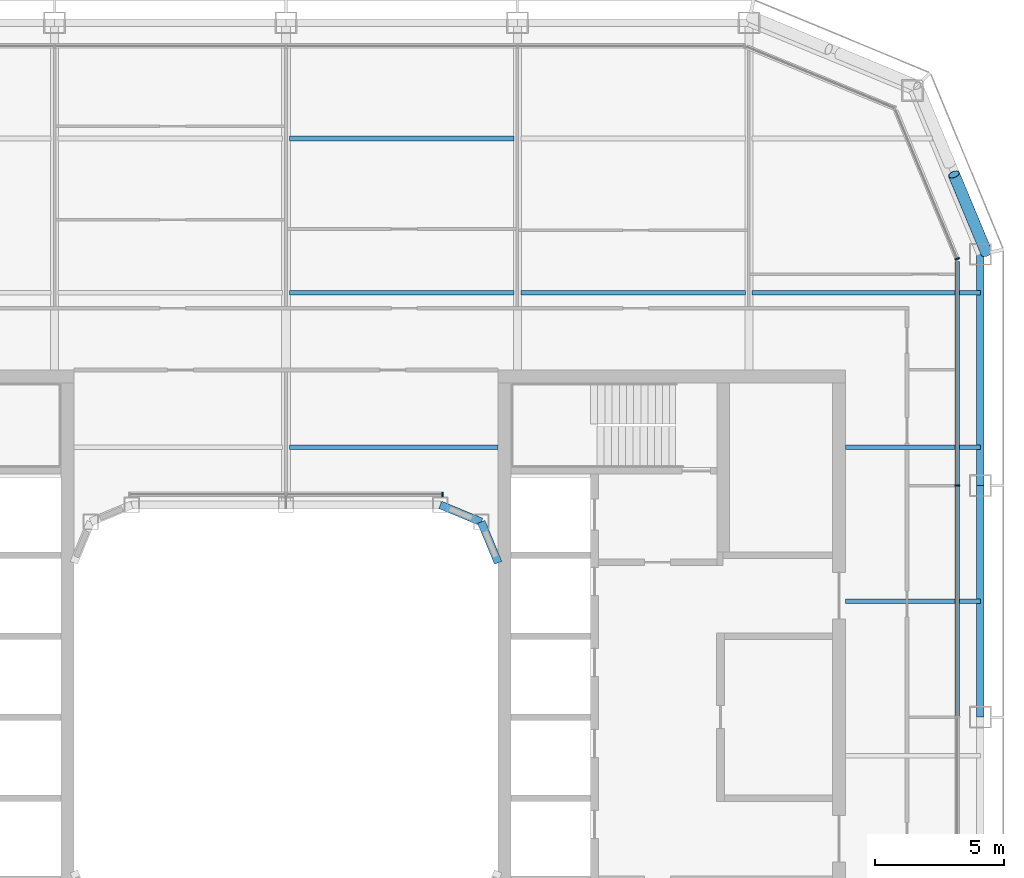
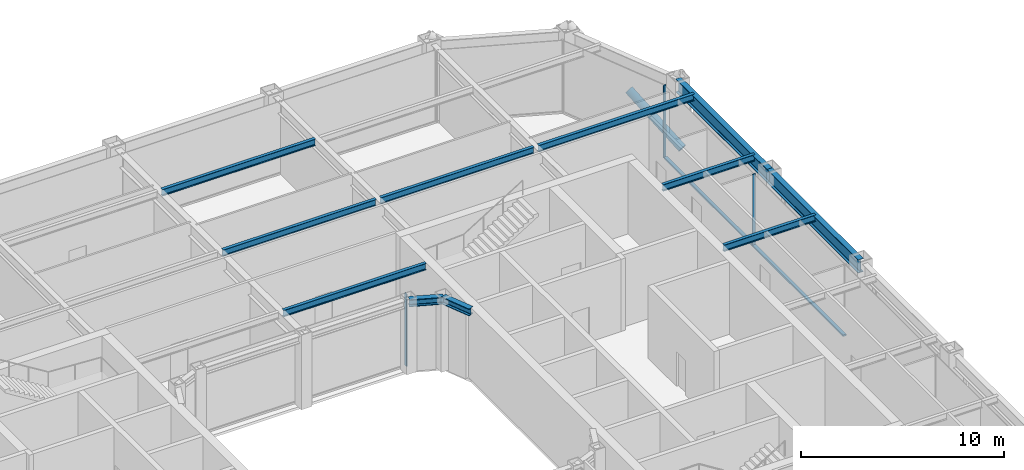
# One storey, part 9 of 19: 11 beams, 6 members, 3 elements without a shape of their own.
"""IFC4 building model written with IfcOpenShell, lengths in metres."""

from ifc_helpers import new_model, si_unit, direction, frame, origin, origin_2d, place, context, subcontext, project, spatial, rectangle, hollow_circle, i_section, extrude, material, layer, layer_set, material_profile, profile_set, type_object, element, aggregate, save


model = new_model("IFC4")

# Units and contexts
model_context = context("Model", 3, precision=1e-05, world=origin(), true_north=direction((0.0, 1.0)))
body_context = subcontext(model_context, "Body", "Model", "MODEL_VIEW")
ifc_project = project(units=[si_unit("LENGTHUNIT", "METRE"), si_unit("AREAUNIT", "SQUARE_METRE"), si_unit("VOLUMEUNIT", "CUBIC_METRE"), si_unit("PLANEANGLEUNIT", "RADIAN"), si_unit("MASSUNIT", "GRAM", prefix="KILO")], contexts=[model_context])

# Site, building, storey
site_placement = place(None, origin())
site = spatial("IfcSite", under=ifc_project, at=site_placement, CompositionType="ELEMENT")
building_placement = place(site_placement, origin())
building = spatial("IfcBuilding", under=site, at=building_placement, Name="Siwar Civic Tower", CompositionType="ELEMENT")
storey_placement = place(building_placement, frame((0.0, 0.0, 210.699951171875)))
storey = spatial("IfcBuildingStorey", under=building, at=storey_placement, Name="L45", CompositionType="ELEMENT", Elevation=210.699951171875)

# Curtain wall, member
ifc_material_1 = material(Name="Aluminium and glass", Category="aluminium")
ifc_layer_1 = layer(ifc_material_1, 0.179931640625)
ifc_layer_set_1 = layer_set([ifc_layer_1], Name="Aluminium and glass")
curtain_wall_type_1 = type_object("IfcCurtainWallType", Name="ENV-CW-C", PredefinedType="NOTDEFINED", material=ifc_layer_set_1)
curtain_wall_1_placement = place(storey_placement, origin())
curtain_wall_1 = element("IfcCurtainWall", 1, at=curtain_wall_1_placement, inside=storey, type_object=curtain_wall_type_1, Name="Curtain wall C E", PredefinedType="NOTDEFINED")
ifc_material_2 = material(Name="Aluminium 6063-T6", Category="aluminium")
ifc_material_profile_1 = material_profile(ifc_material_2, rectangle(XDim=0.179931640625, YDim=0.06005859375, at=origin_2d()), Name="AL 180x60")
ifc_profile_set_1 = profile_set([ifc_material_profile_1], Name="Aluminium 6063-T6")
member_type_1 = type_object("IfcMemberType", Name="ENV-MULLION-C", PredefinedType="MULLION", material=ifc_profile_set_1)
member_1_placement = place(storey_placement, frame((26.10009765625, 9.0, 0.0), z_axis=(0.0, 0.0, 1.0), x_axis=(-1.0, 0.0, 0.0)))
member_1 = element("IfcMember", 2, at=member_1_placement, type_object=member_type_1, Name="Mullion C E 4", PredefinedType="MULLION", context=body_context, shape_type="SweptSolid", body=[
    extrude(rectangle(XDim=0.179931640625, YDim=0.06005859375, at=origin_2d()), origin(), (0.0, 0.0, 1.0), 4.35009765625),
])

ifc_material_3 = material(Name="Aluminium clad insulated panel", Category="aluminium")
ifc_layer_2 = layer(ifc_material_3, 0.179931640625)
ifc_layer_set_2 = layer_set([ifc_layer_2], Name="Aluminium clad insulated panel")
curtain_wall_type_2 = type_object("IfcCurtainWallType", Name="ENV-CW-CX", PredefinedType="NOTDEFINED", material=ifc_layer_set_2)
curtain_wall_2_placement = place(storey_placement, origin())
curtain_wall_2 = element("IfcCurtainWall", 3, at=curtain_wall_2_placement, inside=storey, type_object=curtain_wall_type_2, Name="Curtain wall C NE1", PredefinedType="NOTDEFINED")
member_2_placement = place(storey_placement, frame((26.10009765625, 17.821044921875, 0.0), z_axis=(0.0, 0.0, 1.0), x_axis=(-0.923879532511, -0.382683432365, 0.0)))
member_2 = element("IfcMember", 4, at=member_2_placement, type_object=member_type_1, Name="Mullion C NE1 1", PredefinedType="MULLION", context=body_context, shape_type="SweptSolid", body=[
    extrude(rectangle(XDim=0.179931640625, YDim=0.06005859375, at=origin_2d()), origin(), (0.0, 0.0, 1.0), 4.35009765625),
])
aggregate(curtain_wall_2, [member_2])

ifc_material_4 = material(Name="Aluminium and glass", Category="aluminium")
ifc_layer_3 = layer(ifc_material_4, 0.179931640625)
ifc_layer_set_3 = layer_set([ifc_layer_3], Name="Aluminium and glass")
curtain_wall_type_3 = type_object("IfcCurtainWallType", Name="ENV-CW-W", PredefinedType="NOTDEFINED", material=ifc_layer_set_3)
curtain_wall_3_placement = place(storey_placement, origin())
curtain_wall_3 = element("IfcCurtainWall", 5, at=curtain_wall_3_placement, inside=storey, type_object=curtain_wall_type_3, Name="Curtain wall W WN", PredefinedType="NOTDEFINED")
ifc_material_5 = material(Name="Aluminium 6063-T6", Category="aluminium")
ifc_material_profile_2 = material_profile(ifc_material_5, rectangle(XDim=0.179931640625, YDim=0.06005859375, at=origin_2d()), Name="AL 180x60")
ifc_profile_set_2 = profile_set([ifc_material_profile_2], Name="Aluminium 6063-T6")
member_type_2 = type_object("IfcMemberType", Name="ENV-MULLION-W", PredefinedType="MULLION", material=ifc_profile_set_2)
member_3_placement = place(storey_placement, frame((6.08154296875, 8.659912109375, 0.0), z_axis=(0.0, 0.0, 1.0), x_axis=(0.0, -1.0, 0.0)))
member_3 = element("IfcMember", 6, at=member_3_placement, type_object=member_type_2, Name="Mullion W WN 1", PredefinedType="MULLION", context=body_context, shape_type="SweptSolid", body=[
    extrude(rectangle(XDim=0.179931640625, YDim=0.06005859375, at=origin_2d()), origin(), (0.0, 0.0, 1.0), 4.35009765625),
])
aggregate(curtain_wall_3, [member_3])

# Member
ifc_material_6 = material(Name="Aluminium 6063-T6", Category="aluminium")
ifc_material_profile_3 = material_profile(ifc_material_6, rectangle(XDim=0.179931640625, YDim=0.10009765625, at=origin_2d()), Name="AL 180x100")
ifc_profile_set_3 = profile_set([ifc_material_profile_3], Name="Aluminium 6063-T6")
member_type_3 = type_object("IfcMemberType", Name="ENV-TRANSOM-C", PredefinedType="USERDEFINED", material=ifc_profile_set_3)
member_4_placement = place(storey_placement, frame((26.10009765625, 0.030029296875, 0.050048828125), z_axis=(0.0, 1.0, 0.0), x_axis=(-1.0, 0.0, 0.0)))
member_4 = element("IfcMember", 7, at=member_4_placement, type_object=member_type_3, Name="Transom C E 3", ObjectType="TRANSOM", PredefinedType="USERDEFINED", context=body_context, shape_type="SweptSolid", body=[
    extrude(rectangle(XDim=0.179931640625, YDim=0.10009765625, at=origin_2d()), origin(), (0.0, 0.0, 1.0), 8.93994140625),
])

member_5_placement = place(storey_placement, frame((26.10009765625, 9.030029296875, 0.050048828125), z_axis=(0.0, 1.0, 0.0), x_axis=(-1.0, 0.0, 0.0)))
member_5 = element("IfcMember", 8, at=member_5_placement, type_object=member_type_3, Name="Transom C E 4", ObjectType="TRANSOM", PredefinedType="USERDEFINED", context=body_context, shape_type="SweptSolid", body=[
    extrude(rectangle(XDim=0.179931640625, YDim=0.10009765625, at=origin_2d()), origin(), (0.0, 0.0, 1.0), 8.68603515625),
])

aggregate(curtain_wall_1, [member_1, member_4, member_5])

ifc_material_7 = material(Name="Steel S355", Category="steel")
ifc_material_profile_4 = material_profile(ifc_material_7, hollow_circle(Radius=0.228515625, WallThickness=0.02001953125, at=origin_2d()), Name="CHS457x20")
ifc_profile_set_4 = profile_set([ifc_material_profile_4], Name="Steel S355")
member_type_4 = type_object("IfcMemberType", Name="STR-BR-CHS457x20", PredefinedType="BRACE", material=ifc_profile_set_4)
member_6_placement = place(storey_placement, frame((27.2451171875, 18.048828125, 0.0), z_axis=(-0.323884455881, 0.777546448489, 0.538999424564), x_axis=(-0.92311621485, -0.38452107079, 0.0)))
element("IfcMember", 9, at=member_6_placement, inside=storey, type_object=member_type_4, Name="L45/brc/CNE1-5-0-4", PredefinedType="BRACE", context=body_context, shape_type="SweptSolid", body=[
    extrude(hollow_circle(Radius=0.228515625, WallThickness=0.02001953125, at=origin_2d()), origin(), (0.0, 0.0, 1.0), 3.927978515625),
])

# Beams
ifc_material_8 = material(Name="Steel S355", Category="steel")
ifc_material_profile_5 = material_profile(ifc_material_8, i_section(OverallWidth=0.179931640625, OverallDepth=0.39990234375, WebThickness=0.008544921875, FlangeThickness=0.013427734375, FilletRadius=0.02099609375, at=origin_2d()), Name="IPE400")
ifc_profile_set_5 = profile_set([ifc_material_profile_5], Name="Steel S355")
beam_type_1 = type_object("IfcBeamType", Name="STR-FB-IPE400", PredefinedType="JOIST", material=ifc_profile_set_5)
beam_1_placement = place(storey_placement, frame((21.75, 4.5, 4.150146484375), z_axis=(1.0, 0.0, 0.0), x_axis=(0.0, 1.0, 0.0)))
element("IfcBeam", 10, at=beam_1_placement, inside=storey, type_object=beam_type_1, Name="L45/bm/F026", PredefinedType="JOIST", context=body_context, shape_type="SweptSolid", body=[
    extrude(i_section(OverallWidth=0.179931640625, OverallDepth=0.39990234375, WebThickness=0.008544921875, FlangeThickness=0.013427734375, FilletRadius=0.02099609375, at=origin_2d()), origin(), (0.0, 0.0, 1.0), 5.25),
])
beam_2_placement = place(storey_placement, frame((0.1298828125, 10.5, 4.150146484375), z_axis=(1.0, 0.0, 0.0), x_axis=(0.0, 1.0, 0.0)))
element("IfcBeam", 11, at=beam_2_placement, inside=storey, type_object=beam_type_1, Name="L45/bm/F029", PredefinedType="JOIST", context=body_context, shape_type="SweptSolid", body=[
    extrude(i_section(OverallWidth=0.179931640625, OverallDepth=0.39990234375, WebThickness=0.008544921875, FlangeThickness=0.013427734375, FilletRadius=0.02099609375, at=origin_2d()), origin(), (0.0, 0.0, 1.0), 8.1201171875),
])
beam_3_placement = place(storey_placement, frame((21.75, 10.5, 4.150146484375), z_axis=(1.0, 0.0, 0.0), x_axis=(0.0, 1.0, 0.0)))
element("IfcBeam", 12, at=beam_3_placement, inside=storey, type_object=beam_type_1, Name="L45/bm/F030", PredefinedType="JOIST", context=body_context, shape_type="SweptSolid", body=[
    extrude(i_section(OverallWidth=0.179931640625, OverallDepth=0.39990234375, WebThickness=0.008544921875, FlangeThickness=0.013427734375, FilletRadius=0.02099609375, at=origin_2d()), origin(), (0.0, 0.0, 1.0), 5.25),
])
for number, where, z_axis, x_axis, name in (
    (13, (0.1298828125, 16.5, 4.150146484375), (1.0, 0.0, 0.0), (0.0, 1.0, 0.0), "L45/bm/F034"),
    (14, (9.1298828125, 16.5, 4.150146484375), (1.0, 0.0, 0.0), (0.0, 1.0, 0.0), "L45/bm/F035"),
):
    element("IfcBeam", number, at=place(storey_placement, frame(where, z_axis=z_axis, x_axis=x_axis)), inside=storey, type_object=beam_type_1, Name=name, PredefinedType="JOIST", context=body_context, shape_type="SweptSolid", body=[
        extrude(i_section(OverallWidth=0.179931640625, OverallDepth=0.39990234375, WebThickness=0.008544921875, FlangeThickness=0.013427734375, FilletRadius=0.02099609375, at=origin_2d()), origin(), (0.0, 0.0, 1.0), 8.740234375),
    ])
beam_4_placement = place(storey_placement, frame((18.1298828125, 16.5, 4.150146484375), z_axis=(1.0, 0.0, 0.0), x_axis=(0.0, 1.0, 0.0)))
element("IfcBeam", 15, at=beam_4_placement, inside=storey, type_object=beam_type_1, Name="L45/bm/F036", PredefinedType="JOIST", context=body_context, shape_type="SweptSolid", body=[
    extrude(i_section(OverallWidth=0.179931640625, OverallDepth=0.39990234375, WebThickness=0.008544921875, FlangeThickness=0.013427734375, FilletRadius=0.02099609375, at=origin_2d()), origin(), (0.0, 0.0, 1.0), 8.8701171875),
])
beam_5_placement = place(storey_placement, frame((0.1298828125, 22.5, 4.150146484375), z_axis=(1.0, 0.0, 0.0), x_axis=(0.0, 1.0, 0.0)))
element("IfcBeam", 16, at=beam_5_placement, inside=storey, type_object=beam_type_1, Name="L45/bm/F040", PredefinedType="JOIST", context=body_context, shape_type="SweptSolid", body=[
    extrude(i_section(OverallWidth=0.179931640625, OverallDepth=0.39990234375, WebThickness=0.008544921875, FlangeThickness=0.013427734375, FilletRadius=0.02099609375, at=origin_2d()), origin(), (0.0, 0.0, 1.0), 8.740234375),
])
ifc_material_9 = material(Name="Steel S355", Category="steel")
ifc_material_profile_6 = material_profile(ifc_material_9, i_section(OverallWidth=0.306884765625, OverallDepth=0.431884765625, WebThickness=0.02099609375, FlangeThickness=0.0400390625, FilletRadius=0.027099609375, at=origin_2d()), Name="HEM400")
ifc_profile_set_6 = profile_set([ifc_material_profile_6], Name="Steel S355")
beam_type_2 = type_object("IfcBeamType", Name="STR-RB-HEM400", PredefinedType="BEAM", material=ifc_profile_set_6)
for number, where, z_axis, x_axis, name in (
    (17, (6.0, 8.25, 4.134033203125), (0.923901072997, -0.382631424892, 0.0), (0.382631424892, 0.923901072997, 0.0), "L45/bm/RN3"),
    (18, (7.591064453125, 7.591064453125, 4.134033203125), (0.382631424892, -0.923901072997, 0.0), (0.923901072997, 0.382631424892, 0.0), "L45/bm/RNEE"),
):
    element("IfcBeam", number, at=place(storey_placement, frame(where, z_axis=z_axis, x_axis=x_axis)), inside=storey, type_object=beam_type_2, Name=name, PredefinedType="BEAM", context=body_context, shape_type="SweptSolid", body=[
        extrude(i_section(OverallWidth=0.306884765625, OverallDepth=0.431884765625, WebThickness=0.02099609375, FlangeThickness=0.0400390625, FilletRadius=0.027099609375, at=origin_2d()), origin(), (0.0, 0.0, 1.0), 1.72216796875),
    ])
ifc_material_10 = material(Name="Steel S355", Category="steel")
ifc_material_profile_7 = material_profile(ifc_material_10, i_section(OverallWidth=0.300048828125, OverallDepth=0.800048828125, WebThickness=0.017578125, FlangeThickness=0.032958984375, FilletRadius=0.030029296875, at=origin_2d()), Name="HEB800")
ifc_profile_set_7 = profile_set([ifc_material_profile_7], Name="Steel S355")
beam_type_3 = type_object("IfcBeamType", Name="STR-SB-HEB800", PredefinedType="BEAM", material=ifc_profile_set_7)
for number, where, z_axis, x_axis, name in (
    (19, (27.0, 0.0, 3.949951171875), (0.0, 1.0, 0.0), (-1.0, 0.0, 0.0), "L45/bm/SE-2"),
    (20, (27.0, 9.0, 3.949951171875), (0.0, 1.0, 0.0), (-1.0, 0.0, 0.0), "L45/bm/SE-3"),
):
    element("IfcBeam", number, at=place(storey_placement, frame(where, z_axis=z_axis, x_axis=x_axis)), inside=storey, type_object=beam_type_3, Name=name, PredefinedType="BEAM", context=body_context, shape_type="SweptSolid", body=[
        extrude(i_section(OverallWidth=0.300048828125, OverallDepth=0.800048828125, WebThickness=0.017578125, FlangeThickness=0.032958984375, FilletRadius=0.030029296875, at=origin_2d()), origin(), (0.0, 0.0, 1.0), 9.0),
    ])

save(model, "model.ifc")
